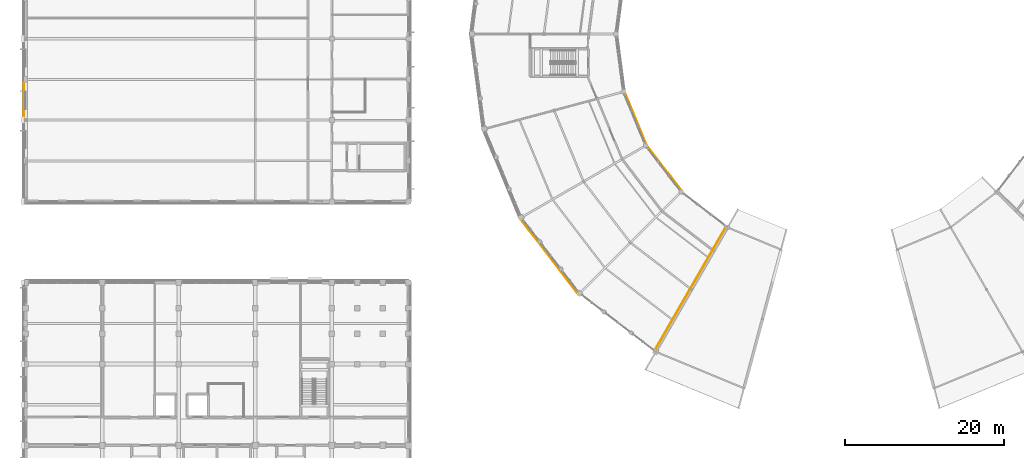
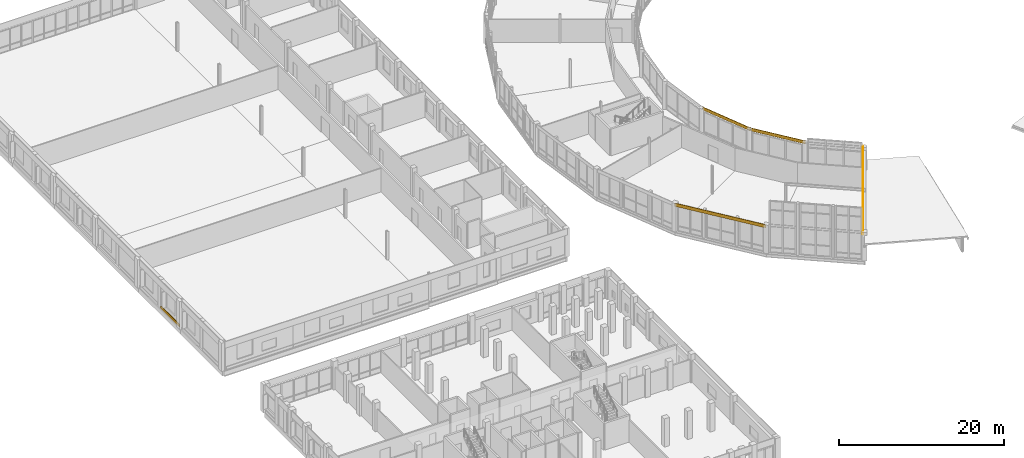
# One storey, part 175 of 185: 5 coverings.
"""IFC4 building model written with IfcOpenShell, lengths in metres."""

import ifcopenshell
import ifcopenshell.guid

model = None  # the IFC model being written
_history = None  # IfcOwnerHistory: only IFC2X3 demands one
_inside = {}  # id of a spatial element -> (the spatial element, [elements in it])
_under = {}  # id of a project, library or spatial element -> (it, [spatial elements below it])
_declared = {}  # id of a project -> (the project, [libraries it declares])
_typed = {}  # id of a type object -> (the type object, [elements of that type])
_made_of = {}  # id of a material, layer set ... -> (it, [elements and type objects made of it])


def new_model(schema):
    """Start an empty IFC model of exactly this schema.

    Asked for "IFC4X3", IfcOpenShell would pick the latest addendum, in which some entities
    have other attributes; the version numbers below select the first issue.
    IFC2X3 requires an IfcOwnerHistory on every rooted entity: one is made here for all.
    """
    global model, _history
    if schema == "IFC4X3":
        model = ifcopenshell.file(schema_version=(4, 3, 0, 0))
    else:
        model = ifcopenshell.file(schema=schema)
    _inside.clear()
    _under.clear()
    _declared.clear()
    _typed.clear()
    _made_of.clear()
    _history = None
    if model.schema == "IFC2X3":
        org = make("IfcOrganization", Name="unknown")
        user = make(
            "IfcPersonAndOrganization",
            ThePerson=make("IfcPerson", FamilyName="unknown"),
            TheOrganization=org,
        )
        app = make(
            "IfcApplication",
            ApplicationDeveloper=org,
            Version="unknown",
            ApplicationFullName="unknown",
            ApplicationIdentifier="unknown",
        )
        _history = make(
            "IfcOwnerHistory",
            OwningUser=user,
            OwningApplication=app,
            ChangeAction="ADDED",
            CreationDate=0,
        )
    return model


def make(cls, **values):
    """One entity of the class cls with the attributes given. An attribute that is None is left unset."""
    return model.create_entity(
        cls, **{name: value for name, value in values.items() if value is not None}
    )


def rooted(cls, **values):
    """An entity with a GlobalId (a new one), such as an element, a storey or a relation."""
    return make(cls, GlobalId=ifcopenshell.guid.new(), OwnerHistory=_history, **values)


def si_unit(unit_type, name, prefix=None):
    """IfcSIUnit, for example si_unit("LENGTHUNIT", "METRE", prefix="MILLI")."""
    return make("IfcSIUnit", UnitType=unit_type, Prefix=prefix, Name=name)


def assignment(units):
    """IfcUnitAssignment: the units of a project."""
    return None if units is None else make("IfcUnitAssignment", Units=units)


def point(xyz):
    """IfcCartesianPoint."""
    return None if xyz is None else make("IfcCartesianPoint", Coordinates=xyz)


def direction(xyz):
    """IfcDirection."""
    return None if xyz is None else make("IfcDirection", DirectionRatios=xyz)


def frame(location, z_axis=None, x_axis=None):
    """IfcAxis2Placement3D, a coordinate frame: its origin and axes. An axis left out is left unset."""
    return make(
        "IfcAxis2Placement3D",
        Location=point(location),
        Axis=direction(z_axis),
        RefDirection=direction(x_axis),
    )


def frame_2d(location, x_axis=None):
    """IfcAxis2Placement2D, a coordinate frame in the plane: its origin and x axis."""
    return make(
        "IfcAxis2Placement2D", Location=point(location), RefDirection=direction(x_axis)
    )


def origin():
    """The frame at (0, 0, 0) with its axes left unset."""
    return frame((0.0, 0.0, 0.0))


def origin_2d():
    """The frame at (0, 0) in the plane with its x axis left unset."""
    return frame_2d((0.0, 0.0))


def place(relative_to, where):
    """IfcLocalPlacement: puts the frame where relative to a parent placement (None: the world)."""
    return make(
        "IfcLocalPlacement", PlacementRelTo=relative_to, RelativePlacement=where
    )


def context(
    kind, dimensions, precision=None, world=None, true_north=None, identifier=None
):
    """IfcGeometricRepresentationContext, for example the 3D "Model" context."""
    return make(
        "IfcGeometricRepresentationContext",
        ContextIdentifier=identifier,
        ContextType=kind,
        CoordinateSpaceDimension=dimensions,
        Precision=precision,
        WorldCoordinateSystem=world,
        TrueNorth=true_north,
    )


def subcontext(parent, identifier, kind, view, scale=None):
    """IfcGeometricRepresentationSubContext, for example "Body" below "Model"."""
    return make(
        "IfcGeometricRepresentationSubContext",
        ContextIdentifier=identifier,
        ContextType=kind,
        ParentContext=parent,
        TargetScale=scale,
        TargetView=view,
    )


def project(units=None, contexts=None):
    """IfcProject with its units and contexts."""
    return rooted(
        "IfcProject",
        Name="project",
        RepresentationContexts=contexts,
        UnitsInContext=assignment(units),
    )


def spatial(cls, under=None, at=None, **own):
    """A site, building, storey or space (cls), placed at a placement, below another one or the project."""
    s = rooted(cls, ObjectPlacement=at, **own)
    if under is not None:
        _under.setdefault(under.id(), (under, []))[1].append(s)
    return s


def profile(cls, at=None, kind="AREA", **sizes):
    """A parametric profile (cls). Its sizes go by their IFC names, for example OverallWidth=200.0."""
    return make(cls, ProfileType=kind, Position=at, **sizes)


def rectangle(**sizes):
    """IfcRectangleProfileDef."""
    return profile("IfcRectangleProfileDef", **sizes)


def extrude(swept, where, along, depth):
    """IfcExtrudedAreaSolid: the profile swept, set in the frame where, extruded along a direction by depth."""
    return make(
        "IfcExtrudedAreaSolid",
        SweptArea=swept,
        Position=where,
        ExtrudedDirection=direction(along),
        Depth=depth,
    )


def shape(context_of_items, identifier, shape_type, items):
    """IfcShapeRepresentation: the items that make up one representation, for example the "Body"."""
    return make(
        "IfcShapeRepresentation",
        ContextOfItems=context_of_items,
        RepresentationIdentifier=identifier,
        RepresentationType=shape_type,
        Items=items,
    )


def material(Name=None, Category=None):
    """IfcMaterial."""
    return make("IfcMaterial", Name=Name, Category=Category)


def layer(
    of_material, thickness, ventilated=None, Name=None, Category=None, Priority=None
):
    """IfcMaterialLayer: one layer of a wall or slab, of a material (None: an air gap)."""
    return make(
        "IfcMaterialLayer",
        Material=of_material,
        LayerThickness=thickness,
        IsVentilated=ventilated,
        Name=Name,
        Category=Category,
        Priority=Priority,
    )


def layer_set(layers, Name=None):
    """IfcMaterialLayerSet."""
    return make("IfcMaterialLayerSet", MaterialLayers=layers, LayerSetName=Name)


def made_of(thing, what):
    """Note that an element or type object is made of a material, layer set ...; save() writes the relation."""
    if what is not None:
        _made_of.setdefault(what.id(), (what, []))[1].append(thing)
    return thing


def type_object(cls, material=None, **own):
    """A type object (cls), such as IfcWallType, which elements share."""
    return made_of(rooted(cls, **own), material)


def element(
    cls,
    number,
    at=None,
    inside=None,
    cuts=None,
    type_object=None,
    material=None,
    context=None,
    identifier="Body",
    shape_type=None,
    held_by="IfcProductDefinitionShape",
    body=None,
    shapes=None,
    **own,
):
    """One element of the class cls, such as IfcWall. Its Tag is "e" and its number.

    at: its placement. inside: the storey or other place that contains it. cuts: it is an
    opening in that element (IfcRelVoidsElement). A single representation is given by context,
    identifier, shape_type and body (its items); several are given by shapes. held_by: the class
    of the entity that holds the representations. save() writes the other relations.
    """
    e = rooted(cls, Tag="e%d" % number, ObjectPlacement=at, **own)
    if body is not None:
        shapes = [shape(context, identifier, shape_type, body)]
    if shapes is not None:
        e.Representation = make(held_by, Representations=shapes)
    if inside is not None:
        _inside.setdefault(inside.id(), (inside, []))[1].append(e)
    if cuts is not None:
        rooted(
            "IfcRelVoidsElement", RelatingBuildingElement=cuts, RelatedOpeningElement=e
        )
    if type_object is not None:
        _typed.setdefault(type_object.id(), (type_object, []))[1].append(e)
    return made_of(e, material)


def aggregate(whole, parts):
    """IfcRelAggregates: a whole, such as a stair, and the parts it consists of."""
    return rooted("IfcRelAggregates", RelatingObject=whole, RelatedObjects=parts)


def save(model, path):
    """Write the relations noted so far, then the file.

    IfcRelAggregates (storeys below a building ...), IfcRelContainedInSpatialStructure (elements
    in a storey), IfcRelDefinesByType, IfcRelAssociatesMaterial and IfcRelDeclares: one each for
    every whole, place, type object, material and project.
    """
    for whole, parts in _under.values():
        aggregate(whole, parts)
    for where, things in _inside.values():
        rooted(
            "IfcRelContainedInSpatialStructure",
            RelatedElements=things,
            RelatingStructure=where,
        )
    for kind, things in _typed.values():
        rooted("IfcRelDefinesByType", RelatedObjects=things, RelatingType=kind)
    for what, things in _made_of.values():
        rooted("IfcRelAssociatesMaterial", RelatedObjects=things, RelatingMaterial=what)
    for by, libraries in _declared.values():
        rooted("IfcRelDeclares", RelatingContext=by, RelatedDefinitions=libraries)
    model.write(path)


model = new_model("IFC4")

# Units and contexts
model_context = context("Model", 3, precision=1e-05, world=origin(), true_north=direction((0.0, 1.0)))
body_context = subcontext(model_context, "Body", "Model", "MODEL_VIEW")
ifc_project = project(units=[si_unit("LENGTHUNIT", "METRE"), si_unit("AREAUNIT", "SQUARE_METRE"), si_unit("VOLUMEUNIT", "CUBIC_METRE"), si_unit("PLANEANGLEUNIT", "RADIAN"), si_unit("MASSUNIT", "GRAM", prefix="KILO")], contexts=[model_context])

# Site, building, storey
site_placement = place(None, origin())
site = spatial("IfcSite", under=ifc_project, at=site_placement, CompositionType="ELEMENT")
building_placement = place(site_placement, origin())
building = spatial("IfcBuilding", under=site, at=building_placement, Name="Vondelvale Polytechnic", CompositionType="ELEMENT")
storey_placement = place(building_placement, frame((0.0, 0.0, 9.60009765625)))
storey = spatial("IfcBuildingStorey", under=building, at=storey_placement, Name="L02", CompositionType="ELEMENT", Elevation=9.60009765625)

# Coverings
ifc_material_1 = material(Name="Amsterdam School iron-spot clinker clay brickwork", Category="masonry")
ifc_layer_1 = layer(ifc_material_1, 0.090087890625)
ifc_layer_set_1 = layer_set([ifc_layer_1], Name="COV-BRICK-RELIEF")
covering_type_1 = type_object("IfcCoveringType", Name="COV-BRICK-RELIEF", PredefinedType="CLADDING", material=ifc_layer_set_1)
covering_1_placement = place(storey_placement, frame((-0.216064453125, 63.65673828125, 0.0), z_axis=(0.0, 0.0, 1.0), x_axis=(0.0, 1.0, 0.0)))
element("IfcCovering", 1, at=covering_1_placement, inside=storey, type_object=covering_type_1, Name="L02 exterior corbelled masonry relief band", PredefinedType="CLADDING", context=body_context, shape_type="SweptSolid", body=[
    extrude(rectangle(XDim=4.5244140625, YDim=0.090087890625, at=origin_2d()), origin(), (0.0, 0.0, 1.0), 0.3798828125),
])
covering_2_placement = place(storey_placement, frame((83.33984375, 40.049560546875, 3.64990234375), z_axis=(0.0, 0.0, 1.0), x_axis=(-0.5, -0.866025403784, 0.0)))
element("IfcCovering", 2, at=covering_2_placement, inside=storey, type_object=covering_type_1, Name="L02 exterior masonry spandrel band", PredefinedType="CLADDING", context=body_context, shape_type="SweptSolid", body=[
    extrude(rectangle(XDim=18.0, YDim=0.090087890625, at=origin_2d()), origin(), (0.0, 0.0, 1.0), 0.590087890625),
])
ifc_material_2 = material(Name="Engineered Tasmanian oak studio and bridge joinery")
ifc_layer_2 = layer(ifc_material_2, 0.06494140625)
ifc_layer_set_2 = layer_set([ifc_layer_2], Name="COV-OAK-SPANDREL")
covering_type_2 = type_object("IfcCoveringType", Name="COV-OAK-SPANDREL", PredefinedType="CLADDING", material=ifc_layer_set_2)
for number, where, z_axis, x_axis, name in (
    (3, (76.5107421875, 61.44189453125, 3.75), (0.0, 0.0, 1.0), (0.382683432365, -0.923879532511, 0.0), "L02 exterior masonry spandrel band"),
    (4, (80.11181640625, 55.20458984375, 3.75), (0.0, 0.0, 1.0), (0.608761429009, -0.793353340291, 0.0), "L02 exterior masonry spandrel band"),
):
    element("IfcCovering", number, at=place(storey_placement, frame(where, z_axis=z_axis, x_axis=x_axis)), inside=storey, type_object=covering_type_2, Name=name, PredefinedType="CLADDING", context=body_context, shape_type="SweptSolid", body=[
        extrude(rectangle(XDim=7.3095703125, YDim=0.06494140625, at=origin_2d()), origin(), (0.0, 0.0, 1.0), 0.449951171875),
    ])
covering_3_placement = place(storey_placement, frame((65.65087890625, 44.1083984375, 3.719970703125), z_axis=(0.0, 0.0, 1.0), x_axis=(0.608761429009, -0.793353340291, 0.0)))
element("IfcCovering", 5, at=covering_3_placement, inside=storey, type_object=covering_type_2, Name="L02 exterior masonry spandrel band", PredefinedType="CLADDING", context=body_context, shape_type="SweptSolid", body=[
    extrude(rectangle(XDim=12.00830078125, YDim=0.06494140625, at=origin_2d()), origin(), (0.0, 0.0, 1.0), 0.47998046875),
])

save(model, "model.ifc")
